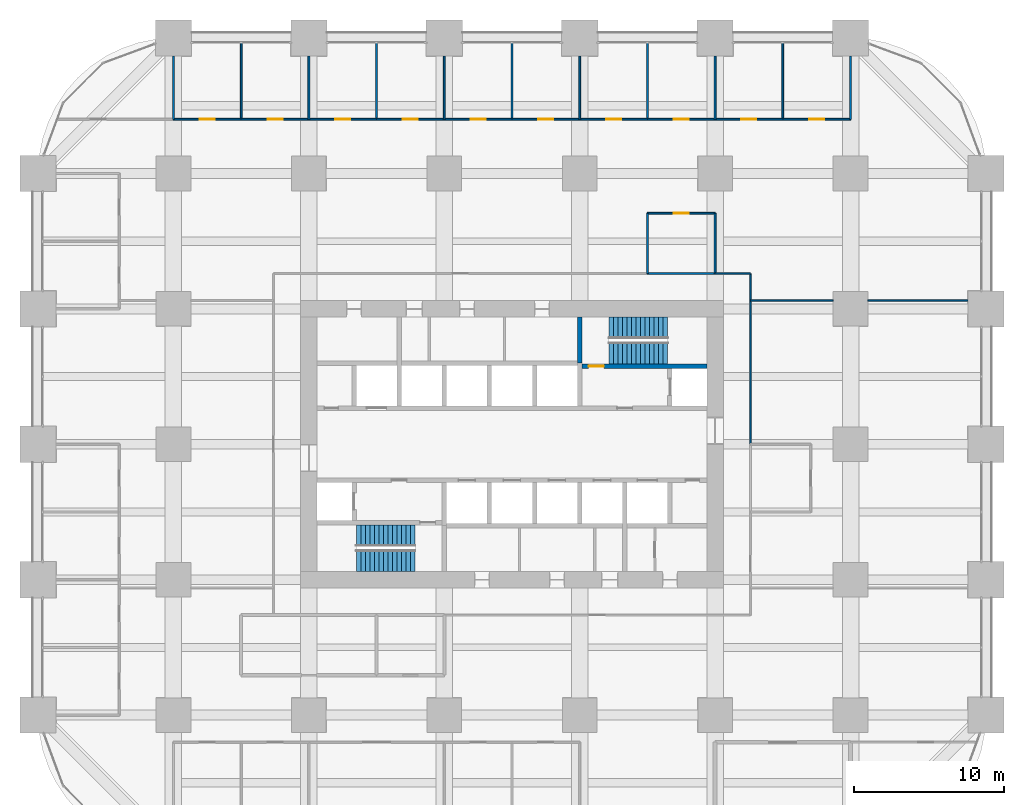
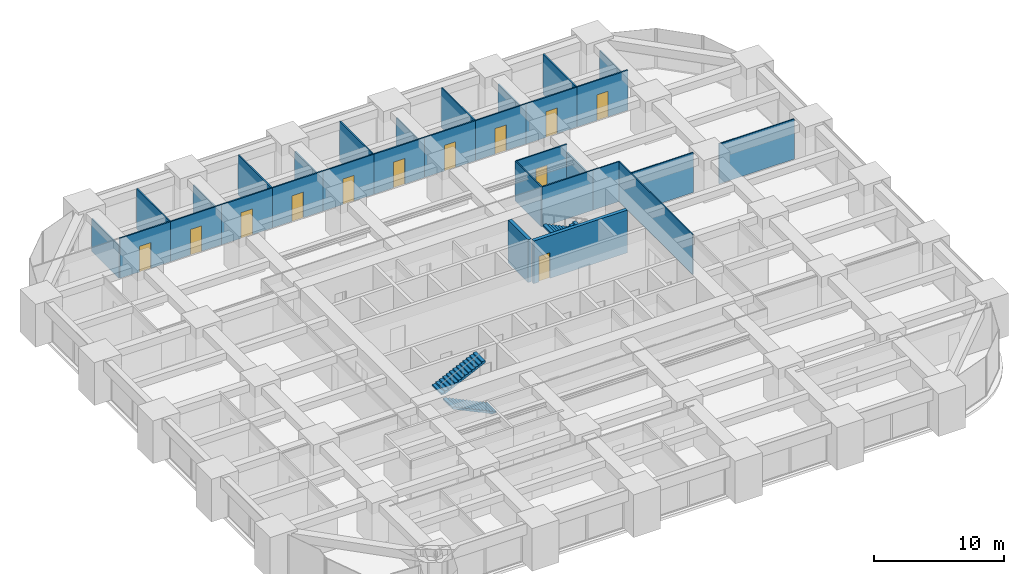
# One storey, part 42 of 44: 31 walls, 12 doors, 4 stair flights, 12 openings, 2 elements without a shape of their own.
"""IFC4 building model written with IfcOpenShell, lengths in metres."""

from ifc_helpers import new_model, si_unit, direction, frame, frame_2d, origin, place, context, subcontext, project, spatial, polyline, rectangle, outline, extrude, material, layer, layer_set, type_object, element, fill, aggregate, save


model = new_model("IFC4")

# Units and contexts
model_context = context("Model", 3, precision=1e-05, world=origin(), true_north=direction((0.0, 1.0)))
body_context = subcontext(model_context, "Body", "Model", "MODEL_VIEW")
ifc_project = project(units=[si_unit("LENGTHUNIT", "METRE"), si_unit("AREAUNIT", "SQUARE_METRE"), si_unit("VOLUMEUNIT", "CUBIC_METRE"), si_unit("PLANEANGLEUNIT", "RADIAN"), si_unit("MASSUNIT", "GRAM", prefix="KILO")], contexts=[model_context])

# Site, building, storey
site_placement = place(None, origin())
site = spatial("IfcSite", under=ifc_project, at=site_placement, CompositionType="ELEMENT")
building_placement = place(site_placement, origin())
building = spatial("IfcBuilding", under=site, at=building_placement, Name="Zorevar Civic Tower", CompositionType="ELEMENT")
storey_placement = place(building_placement, frame((0.0, 0.0, 31.800048828125)))
storey = spatial("IfcBuildingStorey", under=building, at=storey_placement, Name="L07", CompositionType="ELEMENT", Elevation=31.800048828125)

# Walls
ifc_material_1 = material(Name="Laminated glass in black aluminium frame", Category="aluminium")
ifc_layer_1 = layer(ifc_material_1, 0.10009765625)
ifc_layer_set_1 = layer_set([ifc_layer_1], Name="Glazed partition 100")
wall_type_1 = type_object("IfcWallType", Name="Glazed partition 100", PredefinedType="PARTITIONING", material=ifc_layer_set_1)
wall_1_placement = place(storey_placement, frame((47.35009765625, 36.550048828125, 0.0), z_axis=(0.0, 0.0, 1.0), x_axis=(1.0, 0.0, 0.0)))
element("IfcWall", 1, at=wall_1_placement, inside=storey, type_object=wall_type_1, Name="Glazed partition 100 L07", PredefinedType="PARTITIONING", context=body_context, shape_type="SweptSolid", body=[
    extrude(rectangle(XDim=5.5, YDim=0.10009765625, at=frame_2d((2.75, 0.0))), origin(), (0.0, 0.0, 1.0), 3.75),
])
wall_2_placement = place(storey_placement, frame((55.14990234375, 36.550048828125, 0.0), z_axis=(0.0, 0.0, 1.0), x_axis=(1.0, 0.0, 0.0)))
element("IfcWall", 2, at=wall_2_placement, inside=storey, type_object=wall_type_1, Name="Glazed partition 100 L07", PredefinedType="PARTITIONING", context=body_context, shape_type="SweptSolid", body=[
    extrude(rectangle(XDim=6.650146484375, YDim=0.10009765625, at=frame_2d((3.3251953125, 0.0))), origin(), (0.0, 0.0, 1.0), 3.75),
])
wall_3_placement = place(storey_placement, frame((45.0, 38.35009765625, 0.0), z_axis=(0.0, 0.0, 1.0), x_axis=(1.0, 0.0, 0.0)))
element("IfcWall", 3, at=wall_3_placement, inside=storey, type_object=wall_type_1, Name="Glazed partition 100 L07", PredefinedType="PARTITIONING", context=body_context, shape_type="SweptSolid", body=[
    extrude(rectangle(XDim=2.35009765625, YDim=0.10009765625, at=frame_2d((1.175048828125, 0.0))), origin(), (0.0, 0.0, 1.0), 3.75),
])
wall_4_placement = place(storey_placement, frame((47.35009765625, 27.0, 0.0), z_axis=(0.0, 0.0, 1.0), x_axis=(0.0, 1.0, 0.0)))
element("IfcWall", 4, at=wall_4_placement, inside=storey, type_object=wall_type_1, Name="Glazed partition 100 L07", PredefinedType="PARTITIONING", context=body_context, shape_type="SweptSolid", body=[
    extrude(rectangle(XDim=11.35009765625, YDim=0.10009765625, at=frame_2d((5.675048828125, 0.0))), origin(), (0.0, 0.0, 1.0), 3.75),
])

# Wall, opening, door
ifc_material_2 = material(Name="Concrete C40/50", Category="concrete")
ifc_layer_2 = layer(ifc_material_2, 0.300048828125)
ifc_layer_set_2 = layer_set([ifc_layer_2], Name="Inner core wall 300")
wall_type_2 = type_object("IfcWallType", Name="Inner core wall 300", PredefinedType="SHEAR", material=ifc_layer_set_2)
wall_5_placement = place(storey_placement, frame((36.14990234375, 32.199951171875, 0.0), z_axis=(0.0, 0.0, 1.0), x_axis=(1.0, 0.0, 0.0)))
wall_5 = element("IfcWall", 5, at=wall_5_placement, inside=storey, type_object=wall_type_2, Name="Inner core wall N00 L07", PredefinedType="SHEAR", context=body_context, shape_type="SweptSolid", body=[
    extrude(rectangle(XDim=8.300048828125, YDim=0.300048828125, at=frame_2d((4.14990234375, 0.0))), origin(), (0.0, 0.0, 1.0), 4.0),
])
opening_1_placement = place(wall_5_placement, frame((0.449951171875, 0.0, 0.0)))
opening_1 = element("IfcOpeningElement", 6, at=opening_1_placement, cuts=wall_5, Name="Opening L07.12", PredefinedType="OPENING", context=body_context, shape_type="SweptSolid", body=[
    extrude(rectangle(XDim=1.0, YDim=2.39990234375, at=frame_2d((0.5, 1.199951171875))), frame((0.0, 0.159912109375, 0.0), z_axis=(0.0, -1.0, 0.0), x_axis=(1.0, 0.0, 0.0)), (0.0, 0.0, 1.0), 0.320068359375),
])
ifc_material_3 = material(Name="Steel door set", Category="steel")
door_type_1 = type_object("IfcDoorType", Name="Fire door FD1 1000x2400", OperationType="SINGLE_SWING_LEFT", PredefinedType="DOOR", material=ifc_material_3)
door_1_placement = place(opening_1_placement, origin())
door_1 = element("IfcDoor", 7, at=door_1_placement, inside=storey, type_object=door_type_1, Name="Door L07 11", OperationType="SINGLE_SWING_RIGHT", OverallHeight=2.39990234375, OverallWidth=1.0, PredefinedType="DOOR", context=body_context, shape_type="SweptSolid", body=[
    extrude(rectangle(XDim=1.0, YDim=2.39990234375, at=frame_2d((0.5, 1.199951171875))), frame((0.0, 0.030029296875, 0.0), z_axis=(0.0, -1.0, 0.0), x_axis=(1.0, 0.0, 0.0)), (0.0, 0.0, 1.0), 0.06005859375),
])
fill(opening_1, door_1)

# Walls
wall_6_placement = place(storey_placement, frame((36.0, 32.39990234375, 0.0), z_axis=(0.0, 0.0, 1.0), x_axis=(0.0, 1.0, 0.0)))
element("IfcWall", 8, at=wall_6_placement, inside=storey, type_object=wall_type_2, Name="Inner core wall N01 L07", PredefinedType="SHEAR", context=body_context, shape_type="SweptSolid", body=[
    extrude(rectangle(XDim=3.050048828125, YDim=0.300048828125, at=frame_2d((1.52490234375, 0.0))), origin(), (0.0, 0.0, 1.0), 4.0),
])
ifc_material_4 = material(Name="Gypsum board on steel studs", Category="steel")
ifc_layer_3 = layer(ifc_material_4, 0.1201171875)
ifc_layer_set_3 = layer_set([ifc_layer_3], Name="Partition 120")
wall_type_3 = type_object("IfcWallType", Name="Partition 120", PredefinedType="PARTITIONING", material=ifc_layer_set_3)
wall_7_placement = place(storey_placement, frame((40.5, 38.35009765625, 0.0), z_axis=(0.0, 0.0, 1.0), x_axis=(1.0, 0.0, 0.0)))
element("IfcWall", 9, at=wall_7_placement, inside=storey, type_object=wall_type_3, Name="Partition 120 L07", PredefinedType="PARTITIONING", context=body_context, shape_type="SweptSolid", body=[
    extrude(rectangle(XDim=4.5, YDim=0.1201171875, at=frame_2d((2.25, 0.0))), origin(), (0.0, 0.0, 1.0), 3.75),
])

# Wall, opening, door
wall_8_placement = place(storey_placement, frame((40.5, 42.35009765625, 0.0), z_axis=(0.0, 0.0, 1.0), x_axis=(1.0, 0.0, 0.0)))
wall_8 = element("IfcWall", 10, at=wall_8_placement, inside=storey, type_object=wall_type_3, Name="Partition 120 L07", PredefinedType="PARTITIONING", context=body_context, shape_type="SweptSolid", body=[
    extrude(rectangle(XDim=4.5, YDim=0.1201171875, at=frame_2d((2.25, 0.0))), origin(), (0.0, 0.0, 1.0), 3.75),
])
opening_2_placement = place(wall_8_placement, frame((1.75, 0.0, 0.0)))
opening_2 = element("IfcOpeningElement", 11, at=opening_2_placement, cuts=wall_8, Name="Opening L07.28", PredefinedType="OPENING", context=body_context, shape_type="SweptSolid", body=[
    extrude(rectangle(XDim=1.0, YDim=2.39990234375, at=frame_2d((0.5, 1.199951171875))), frame((0.0, 0.070068359375, 0.0), z_axis=(0.0, -1.0, 0.0), x_axis=(1.0, 0.0, 0.0)), (0.0, 0.0, 1.0), 0.14013671875),
])
ifc_material_5 = material(Name="Timber door set", Category="wood")
door_type_2 = type_object("IfcDoorType", Name="Door D1 1000x2400", OperationType="SINGLE_SWING_LEFT", PredefinedType="DOOR", material=ifc_material_5)
door_2_placement = place(opening_2_placement, origin())
door_2 = element("IfcDoor", 12, at=door_2_placement, inside=storey, type_object=door_type_2, Name="Door L07 D1", OperationType="SINGLE_SWING_LEFT", OverallHeight=2.39990234375, OverallWidth=1.0, PredefinedType="DOOR", context=body_context, shape_type="SweptSolid", body=[
    extrude(rectangle(XDim=1.0, YDim=2.39990234375, at=frame_2d((0.5, 1.199951171875))), frame((0.0, 0.02490234375, 0.0), z_axis=(0.0, -1.0, 0.0), x_axis=(1.0, 0.0, 0.0)), (0.0, 0.0, 1.0), 0.050048828125),
])
fill(opening_2, door_2)

wall_9_placement = place(storey_placement, frame((9.0, 48.60009765625, 0.0), z_axis=(0.0, 0.0, 1.0), x_axis=(1.0, 0.0, 0.0)))
wall_9 = element("IfcWall", 13, at=wall_9_placement, inside=storey, type_object=wall_type_3, Name="Partition 120 L07", PredefinedType="PARTITIONING", context=body_context, shape_type="SweptSolid", body=[
    extrude(rectangle(XDim=4.5, YDim=0.1201171875, at=frame_2d((2.25, 0.0))), origin(), (0.0, 0.0, 1.0), 3.75),
])
opening_3_placement = place(wall_9_placement, frame((1.75, 0.0, 0.0)))
opening_3 = element("IfcOpeningElement", 14, at=opening_3_placement, cuts=wall_9, Name="Opening L07.29", PredefinedType="OPENING", context=body_context, shape_type="SweptSolid", body=[
    extrude(rectangle(XDim=1.0, YDim=2.39990234375, at=frame_2d((0.5, 1.199951171875))), frame((0.0, 0.070068359375, 0.0), z_axis=(0.0, -1.0, 0.0), x_axis=(1.0, 0.0, 0.0)), (0.0, 0.0, 1.0), 0.14013671875),
])
door_3_placement = place(opening_3_placement, origin())
door_3 = element("IfcDoor", 15, at=door_3_placement, inside=storey, type_object=door_type_2, Name="Door L07 D1", OperationType="SINGLE_SWING_LEFT", OverallHeight=2.39990234375, OverallWidth=1.0, PredefinedType="DOOR", context=body_context, shape_type="SweptSolid", body=[
    extrude(rectangle(XDim=1.0, YDim=2.39990234375, at=frame_2d((0.5, 1.199951171875))), frame((0.0, 0.02490234375, 0.0), z_axis=(0.0, -1.0, 0.0), x_axis=(1.0, 0.0, 0.0)), (0.0, 0.0, 1.0), 0.050048828125),
])
fill(opening_3, door_3)

wall_10_placement = place(storey_placement, frame((13.5, 48.60009765625, 0.0), z_axis=(0.0, 0.0, 1.0), x_axis=(1.0, 0.0, 0.0)))
wall_10 = element("IfcWall", 16, at=wall_10_placement, inside=storey, type_object=wall_type_3, Name="Partition 120 L07", PredefinedType="PARTITIONING", context=body_context, shape_type="SweptSolid", body=[
    extrude(rectangle(XDim=4.5, YDim=0.1201171875, at=frame_2d((2.25, 0.0))), origin(), (0.0, 0.0, 1.0), 3.75),
])
opening_4_placement = place(wall_10_placement, frame((1.75, 0.0, 0.0)))
opening_4 = element("IfcOpeningElement", 17, at=opening_4_placement, cuts=wall_10, Name="Opening L07.30", PredefinedType="OPENING", context=body_context, shape_type="SweptSolid", body=[
    extrude(rectangle(XDim=1.0, YDim=2.39990234375, at=frame_2d((0.5, 1.199951171875))), frame((0.0, 0.070068359375, 0.0), z_axis=(0.0, -1.0, 0.0), x_axis=(1.0, 0.0, 0.0)), (0.0, 0.0, 1.0), 0.14013671875),
])
door_4_placement = place(opening_4_placement, origin())
door_4 = element("IfcDoor", 18, at=door_4_placement, inside=storey, type_object=door_type_2, Name="Door L07 D1", OperationType="SINGLE_SWING_LEFT", OverallHeight=2.39990234375, OverallWidth=1.0, PredefinedType="DOOR", context=body_context, shape_type="SweptSolid", body=[
    extrude(rectangle(XDim=1.0, YDim=2.39990234375, at=frame_2d((0.5, 1.199951171875))), frame((0.0, 0.02490234375, 0.0), z_axis=(0.0, -1.0, 0.0), x_axis=(1.0, 0.0, 0.0)), (0.0, 0.0, 1.0), 0.050048828125),
])
fill(opening_4, door_4)

wall_11_placement = place(storey_placement, frame((18.0, 48.60009765625, 0.0), z_axis=(0.0, 0.0, 1.0), x_axis=(1.0, 0.0, 0.0)))
wall_11 = element("IfcWall", 19, at=wall_11_placement, inside=storey, type_object=wall_type_3, Name="Partition 120 L07", PredefinedType="PARTITIONING", context=body_context, shape_type="SweptSolid", body=[
    extrude(rectangle(XDim=4.5, YDim=0.1201171875, at=frame_2d((2.25, 0.0))), origin(), (0.0, 0.0, 1.0), 3.75),
])
opening_5_placement = place(wall_11_placement, frame((1.75, 0.0, 0.0)))
opening_5 = element("IfcOpeningElement", 20, at=opening_5_placement, cuts=wall_11, Name="Opening L07.31", PredefinedType="OPENING", context=body_context, shape_type="SweptSolid", body=[
    extrude(rectangle(XDim=1.0, YDim=2.39990234375, at=frame_2d((0.5, 1.199951171875))), frame((0.0, 0.070068359375, 0.0), z_axis=(0.0, -1.0, 0.0), x_axis=(1.0, 0.0, 0.0)), (0.0, 0.0, 1.0), 0.14013671875),
])
door_5_placement = place(opening_5_placement, origin())
door_5 = element("IfcDoor", 21, at=door_5_placement, inside=storey, type_object=door_type_2, Name="Door L07 D1", OperationType="SINGLE_SWING_LEFT", OverallHeight=2.39990234375, OverallWidth=1.0, PredefinedType="DOOR", context=body_context, shape_type="SweptSolid", body=[
    extrude(rectangle(XDim=1.0, YDim=2.39990234375, at=frame_2d((0.5, 1.199951171875))), frame((0.0, 0.02490234375, 0.0), z_axis=(0.0, -1.0, 0.0), x_axis=(1.0, 0.0, 0.0)), (0.0, 0.0, 1.0), 0.050048828125),
])
fill(opening_5, door_5)

wall_12_placement = place(storey_placement, frame((22.5, 48.60009765625, 0.0), z_axis=(0.0, 0.0, 1.0), x_axis=(1.0, 0.0, 0.0)))
wall_12 = element("IfcWall", 22, at=wall_12_placement, inside=storey, type_object=wall_type_3, Name="Partition 120 L07", PredefinedType="PARTITIONING", context=body_context, shape_type="SweptSolid", body=[
    extrude(rectangle(XDim=4.5, YDim=0.1201171875, at=frame_2d((2.25, 0.0))), origin(), (0.0, 0.0, 1.0), 3.75),
])
opening_6_placement = place(wall_12_placement, frame((1.75, 0.0, 0.0)))
opening_6 = element("IfcOpeningElement", 23, at=opening_6_placement, cuts=wall_12, Name="Opening L07.32", PredefinedType="OPENING", context=body_context, shape_type="SweptSolid", body=[
    extrude(rectangle(XDim=1.0, YDim=2.39990234375, at=frame_2d((0.5, 1.199951171875))), frame((0.0, 0.070068359375, 0.0), z_axis=(0.0, -1.0, 0.0), x_axis=(1.0, 0.0, 0.0)), (0.0, 0.0, 1.0), 0.14013671875),
])
door_6_placement = place(opening_6_placement, origin())
door_6 = element("IfcDoor", 24, at=door_6_placement, inside=storey, type_object=door_type_2, Name="Door L07 D1", OperationType="SINGLE_SWING_LEFT", OverallHeight=2.39990234375, OverallWidth=1.0, PredefinedType="DOOR", context=body_context, shape_type="SweptSolid", body=[
    extrude(rectangle(XDim=1.0, YDim=2.39990234375, at=frame_2d((0.5, 1.199951171875))), frame((0.0, 0.02490234375, 0.0), z_axis=(0.0, -1.0, 0.0), x_axis=(1.0, 0.0, 0.0)), (0.0, 0.0, 1.0), 0.050048828125),
])
fill(opening_6, door_6)

wall_13_placement = place(storey_placement, frame((27.0, 48.60009765625, 0.0), z_axis=(0.0, 0.0, 1.0), x_axis=(1.0, 0.0, 0.0)))
wall_13 = element("IfcWall", 25, at=wall_13_placement, inside=storey, type_object=wall_type_3, Name="Partition 120 L07", PredefinedType="PARTITIONING", context=body_context, shape_type="SweptSolid", body=[
    extrude(rectangle(XDim=4.5, YDim=0.1201171875, at=frame_2d((2.25, 0.0))), origin(), (0.0, 0.0, 1.0), 3.75),
])
opening_7_placement = place(wall_13_placement, frame((1.75, 0.0, 0.0)))
opening_7 = element("IfcOpeningElement", 26, at=opening_7_placement, cuts=wall_13, Name="Opening L07.33", PredefinedType="OPENING", context=body_context, shape_type="SweptSolid", body=[
    extrude(rectangle(XDim=1.0, YDim=2.39990234375, at=frame_2d((0.5, 1.199951171875))), frame((0.0, 0.070068359375, 0.0), z_axis=(0.0, -1.0, 0.0), x_axis=(1.0, 0.0, 0.0)), (0.0, 0.0, 1.0), 0.14013671875),
])
door_7_placement = place(opening_7_placement, origin())
door_7 = element("IfcDoor", 27, at=door_7_placement, inside=storey, type_object=door_type_2, Name="Door L07 D1", OperationType="SINGLE_SWING_LEFT", OverallHeight=2.39990234375, OverallWidth=1.0, PredefinedType="DOOR", context=body_context, shape_type="SweptSolid", body=[
    extrude(rectangle(XDim=1.0, YDim=2.39990234375, at=frame_2d((0.5, 1.199951171875))), frame((0.0, 0.02490234375, 0.0), z_axis=(0.0, -1.0, 0.0), x_axis=(1.0, 0.0, 0.0)), (0.0, 0.0, 1.0), 0.050048828125),
])
fill(opening_7, door_7)

wall_14_placement = place(storey_placement, frame((31.5, 48.60009765625, 0.0), z_axis=(0.0, 0.0, 1.0), x_axis=(1.0, 0.0, 0.0)))
wall_14 = element("IfcWall", 28, at=wall_14_placement, inside=storey, type_object=wall_type_3, Name="Partition 120 L07", PredefinedType="PARTITIONING", context=body_context, shape_type="SweptSolid", body=[
    extrude(rectangle(XDim=4.5, YDim=0.1201171875, at=frame_2d((2.25, 0.0))), origin(), (0.0, 0.0, 1.0), 3.75),
])
opening_8_placement = place(wall_14_placement, frame((1.75, 0.0, 0.0)))
opening_8 = element("IfcOpeningElement", 29, at=opening_8_placement, cuts=wall_14, Name="Opening L07.34", PredefinedType="OPENING", context=body_context, shape_type="SweptSolid", body=[
    extrude(rectangle(XDim=1.0, YDim=2.39990234375, at=frame_2d((0.5, 1.199951171875))), frame((0.0, 0.070068359375, 0.0), z_axis=(0.0, -1.0, 0.0), x_axis=(1.0, 0.0, 0.0)), (0.0, 0.0, 1.0), 0.14013671875),
])
door_8_placement = place(opening_8_placement, origin())
door_8 = element("IfcDoor", 30, at=door_8_placement, inside=storey, type_object=door_type_2, Name="Door L07 D1", OperationType="SINGLE_SWING_RIGHT", OverallHeight=2.39990234375, OverallWidth=1.0, PredefinedType="DOOR", context=body_context, shape_type="SweptSolid", body=[
    extrude(rectangle(XDim=1.0, YDim=2.39990234375, at=frame_2d((0.5, 1.199951171875))), frame((0.0, 0.02490234375, 0.0), z_axis=(0.0, -1.0, 0.0), x_axis=(1.0, 0.0, 0.0)), (0.0, 0.0, 1.0), 0.050048828125),
])
fill(opening_8, door_8)

wall_15_placement = place(storey_placement, frame((36.0, 48.60009765625, 0.0), z_axis=(0.0, 0.0, 1.0), x_axis=(1.0, 0.0, 0.0)))
wall_15 = element("IfcWall", 31, at=wall_15_placement, inside=storey, type_object=wall_type_3, Name="Partition 120 L07", PredefinedType="PARTITIONING", context=body_context, shape_type="SweptSolid", body=[
    extrude(rectangle(XDim=4.5, YDim=0.1201171875, at=frame_2d((2.25, 0.0))), origin(), (0.0, 0.0, 1.0), 3.75),
])
opening_9_placement = place(wall_15_placement, frame((1.75, 0.0, 0.0)))
opening_9 = element("IfcOpeningElement", 32, at=opening_9_placement, cuts=wall_15, Name="Opening L07.35", PredefinedType="OPENING", context=body_context, shape_type="SweptSolid", body=[
    extrude(rectangle(XDim=1.0, YDim=2.39990234375, at=frame_2d((0.5, 1.199951171875))), frame((0.0, 0.070068359375, 0.0), z_axis=(0.0, -1.0, 0.0), x_axis=(1.0, 0.0, 0.0)), (0.0, 0.0, 1.0), 0.14013671875),
])
door_9_placement = place(opening_9_placement, origin())
door_9 = element("IfcDoor", 33, at=door_9_placement, inside=storey, type_object=door_type_2, Name="Door L07 D1", OperationType="SINGLE_SWING_RIGHT", OverallHeight=2.39990234375, OverallWidth=1.0, PredefinedType="DOOR", context=body_context, shape_type="SweptSolid", body=[
    extrude(rectangle(XDim=1.0, YDim=2.39990234375, at=frame_2d((0.5, 1.199951171875))), frame((0.0, 0.02490234375, 0.0), z_axis=(0.0, -1.0, 0.0), x_axis=(1.0, 0.0, 0.0)), (0.0, 0.0, 1.0), 0.050048828125),
])
fill(opening_9, door_9)

wall_16_placement = place(storey_placement, frame((40.5, 48.60009765625, 0.0), z_axis=(0.0, 0.0, 1.0), x_axis=(1.0, 0.0, 0.0)))
wall_16 = element("IfcWall", 34, at=wall_16_placement, inside=storey, type_object=wall_type_3, Name="Partition 120 L07", PredefinedType="PARTITIONING", context=body_context, shape_type="SweptSolid", body=[
    extrude(rectangle(XDim=4.5, YDim=0.1201171875, at=frame_2d((2.25, 0.0))), origin(), (0.0, 0.0, 1.0), 3.75),
])
opening_10_placement = place(wall_16_placement, frame((1.75, 0.0, 0.0)))
opening_10 = element("IfcOpeningElement", 35, at=opening_10_placement, cuts=wall_16, Name="Opening L07.36", PredefinedType="OPENING", context=body_context, shape_type="SweptSolid", body=[
    extrude(rectangle(XDim=1.0, YDim=2.39990234375, at=frame_2d((0.5, 1.199951171875))), frame((0.0, 0.070068359375, 0.0), z_axis=(0.0, -1.0, 0.0), x_axis=(1.0, 0.0, 0.0)), (0.0, 0.0, 1.0), 0.14013671875),
])
door_10_placement = place(opening_10_placement, origin())
door_10 = element("IfcDoor", 36, at=door_10_placement, inside=storey, type_object=door_type_2, Name="Door L07 D1", OperationType="SINGLE_SWING_RIGHT", OverallHeight=2.39990234375, OverallWidth=1.0, PredefinedType="DOOR", context=body_context, shape_type="SweptSolid", body=[
    extrude(rectangle(XDim=1.0, YDim=2.39990234375, at=frame_2d((0.5, 1.199951171875))), frame((0.0, 0.02490234375, 0.0), z_axis=(0.0, -1.0, 0.0), x_axis=(1.0, 0.0, 0.0)), (0.0, 0.0, 1.0), 0.050048828125),
])
fill(opening_10, door_10)

wall_17_placement = place(storey_placement, frame((45.0, 48.60009765625, 0.0), z_axis=(0.0, 0.0, 1.0), x_axis=(1.0, 0.0, 0.0)))
wall_17 = element("IfcWall", 37, at=wall_17_placement, inside=storey, type_object=wall_type_3, Name="Partition 120 L07", PredefinedType="PARTITIONING", context=body_context, shape_type="SweptSolid", body=[
    extrude(rectangle(XDim=4.5, YDim=0.1201171875, at=frame_2d((2.25, 0.0))), origin(), (0.0, 0.0, 1.0), 3.75),
])
opening_11_placement = place(wall_17_placement, frame((1.75, 0.0, 0.0)))
opening_11 = element("IfcOpeningElement", 38, at=opening_11_placement, cuts=wall_17, Name="Opening L07.37", PredefinedType="OPENING", context=body_context, shape_type="SweptSolid", body=[
    extrude(rectangle(XDim=1.0, YDim=2.39990234375, at=frame_2d((0.5, 1.199951171875))), frame((0.0, 0.070068359375, 0.0), z_axis=(0.0, -1.0, 0.0), x_axis=(1.0, 0.0, 0.0)), (0.0, 0.0, 1.0), 0.14013671875),
])
door_11_placement = place(opening_11_placement, origin())
door_11 = element("IfcDoor", 39, at=door_11_placement, inside=storey, type_object=door_type_2, Name="Door L07 D1", OperationType="SINGLE_SWING_RIGHT", OverallHeight=2.39990234375, OverallWidth=1.0, PredefinedType="DOOR", context=body_context, shape_type="SweptSolid", body=[
    extrude(rectangle(XDim=1.0, YDim=2.39990234375, at=frame_2d((0.5, 1.199951171875))), frame((0.0, 0.02490234375, 0.0), z_axis=(0.0, -1.0, 0.0), x_axis=(1.0, 0.0, 0.0)), (0.0, 0.0, 1.0), 0.050048828125),
])
fill(opening_11, door_11)

wall_18_placement = place(storey_placement, frame((49.5, 48.60009765625, 0.0), z_axis=(0.0, 0.0, 1.0), x_axis=(1.0, 0.0, 0.0)))
wall_18 = element("IfcWall", 40, at=wall_18_placement, inside=storey, type_object=wall_type_3, Name="Partition 120 L07", PredefinedType="PARTITIONING", context=body_context, shape_type="SweptSolid", body=[
    extrude(rectangle(XDim=4.5, YDim=0.1201171875, at=frame_2d((2.25, 0.0))), origin(), (0.0, 0.0, 1.0), 3.75),
])
opening_12_placement = place(wall_18_placement, frame((1.75, 0.0, 0.0)))
opening_12 = element("IfcOpeningElement", 41, at=opening_12_placement, cuts=wall_18, Name="Opening L07.38", PredefinedType="OPENING", context=body_context, shape_type="SweptSolid", body=[
    extrude(rectangle(XDim=1.0, YDim=2.39990234375, at=frame_2d((0.5, 1.199951171875))), frame((0.0, 0.070068359375, 0.0), z_axis=(0.0, -1.0, 0.0), x_axis=(1.0, 0.0, 0.0)), (0.0, 0.0, 1.0), 0.14013671875),
])
door_12_placement = place(opening_12_placement, origin())
door_12 = element("IfcDoor", 42, at=door_12_placement, inside=storey, type_object=door_type_2, Name="Door L07 D1", OperationType="SINGLE_SWING_RIGHT", OverallHeight=2.39990234375, OverallWidth=1.0, PredefinedType="DOOR", context=body_context, shape_type="SweptSolid", body=[
    extrude(rectangle(XDim=1.0, YDim=2.39990234375, at=frame_2d((0.5, 1.199951171875))), frame((0.0, 0.02490234375, 0.0), z_axis=(0.0, -1.0, 0.0), x_axis=(1.0, 0.0, 0.0)), (0.0, 0.0, 1.0), 0.050048828125),
])
fill(opening_12, door_12)

# Walls
wall_19_placement = place(storey_placement, frame((9.0, 48.60009765625, 0.0), z_axis=(0.0, 0.0, 1.0), x_axis=(0.0, 1.0, 0.0)))
element("IfcWall", 43, at=wall_19_placement, inside=storey, type_object=wall_type_3, Name="Partition 120 L07", PredefinedType="PARTITIONING", context=body_context, shape_type="SweptSolid", body=[
    extrude(rectangle(XDim=4.199951171875, YDim=0.1201171875, at=frame_2d((2.10009765625, 0.0))), origin(), (0.0, 0.0, 1.0), 3.050048828125),
])
wall_20_placement = place(storey_placement, frame((13.5, 48.60009765625, 0.0), z_axis=(0.0, 0.0, 1.0), x_axis=(0.0, 1.0, 0.0)))
element("IfcWall", 44, at=wall_20_placement, inside=storey, type_object=wall_type_3, Name="Partition 120 L07", PredefinedType="PARTITIONING", context=body_context, shape_type="SweptSolid", body=[
    extrude(rectangle(XDim=5.08984375, YDim=0.1201171875, at=frame_2d((2.544921875, 0.0))), origin(), (0.0, 0.0, 1.0), 3.75),
])
wall_21_placement = place(storey_placement, frame((18.0, 48.60009765625, 0.0), z_axis=(0.0, 0.0, 1.0), x_axis=(0.0, 1.0, 0.0)))
element("IfcWall", 45, at=wall_21_placement, inside=storey, type_object=wall_type_3, Name="Partition 120 L07", PredefinedType="PARTITIONING", context=body_context, shape_type="SweptSolid", body=[
    extrude(rectangle(XDim=4.199951171875, YDim=0.1201171875, at=frame_2d((2.10009765625, 0.0))), origin(), (0.0, 0.0, 1.0), 3.050048828125),
])
wall_22_placement = place(storey_placement, frame((22.5, 48.60009765625, 0.0), z_axis=(0.0, 0.0, 1.0), x_axis=(0.0, 1.0, 0.0)))
element("IfcWall", 46, at=wall_22_placement, inside=storey, type_object=wall_type_3, Name="Partition 120 L07", PredefinedType="PARTITIONING", context=body_context, shape_type="SweptSolid", body=[
    extrude(rectangle(XDim=5.08984375, YDim=0.1201171875, at=frame_2d((2.544921875, 0.0))), origin(), (0.0, 0.0, 1.0), 3.75),
])
wall_23_placement = place(storey_placement, frame((27.0, 48.60009765625, 0.0), z_axis=(0.0, 0.0, 1.0), x_axis=(0.0, 1.0, 0.0)))
element("IfcWall", 47, at=wall_23_placement, inside=storey, type_object=wall_type_3, Name="Partition 120 L07", PredefinedType="PARTITIONING", context=body_context, shape_type="SweptSolid", body=[
    extrude(rectangle(XDim=4.199951171875, YDim=0.1201171875, at=frame_2d((2.10009765625, 0.0))), origin(), (0.0, 0.0, 1.0), 3.050048828125),
])
wall_24_placement = place(storey_placement, frame((31.5, 48.60009765625, 0.0), z_axis=(0.0, 0.0, 1.0), x_axis=(0.0, 1.0, 0.0)))
element("IfcWall", 48, at=wall_24_placement, inside=storey, type_object=wall_type_3, Name="Partition 120 L07", PredefinedType="PARTITIONING", context=body_context, shape_type="SweptSolid", body=[
    extrude(rectangle(XDim=5.08984375, YDim=0.1201171875, at=frame_2d((2.544921875, 0.0))), origin(), (0.0, 0.0, 1.0), 3.75),
])
wall_25_placement = place(storey_placement, frame((36.0, 48.60009765625, 0.0), z_axis=(0.0, 0.0, 1.0), x_axis=(0.0, 1.0, 0.0)))
element("IfcWall", 49, at=wall_25_placement, inside=storey, type_object=wall_type_3, Name="Partition 120 L07", PredefinedType="PARTITIONING", context=body_context, shape_type="SweptSolid", body=[
    extrude(rectangle(XDim=4.199951171875, YDim=0.1201171875, at=frame_2d((2.10009765625, 0.0))), origin(), (0.0, 0.0, 1.0), 3.050048828125),
])
wall_26_placement = place(storey_placement, frame((40.5, 48.60009765625, 0.0), z_axis=(0.0, 0.0, 1.0), x_axis=(0.0, 1.0, 0.0)))
element("IfcWall", 50, at=wall_26_placement, inside=storey, type_object=wall_type_3, Name="Partition 120 L07", PredefinedType="PARTITIONING", context=body_context, shape_type="SweptSolid", body=[
    extrude(rectangle(XDim=5.08984375, YDim=0.1201171875, at=frame_2d((2.544921875, 0.0))), origin(), (0.0, 0.0, 1.0), 3.75),
])
wall_27_placement = place(storey_placement, frame((40.5, 38.35009765625, 0.0), z_axis=(0.0, 0.0, 1.0), x_axis=(0.0, 1.0, 0.0)))
element("IfcWall", 51, at=wall_27_placement, inside=storey, type_object=wall_type_3, Name="Partition 120 L07", PredefinedType="PARTITIONING", context=body_context, shape_type="SweptSolid", body=[
    extrude(rectangle(XDim=4.0, YDim=0.1201171875, at=frame_2d((2.0, 0.0))), origin(), (0.0, 0.0, 1.0), 3.75),
])
wall_28_placement = place(storey_placement, frame((45.0, 48.60009765625, 0.0), z_axis=(0.0, 0.0, 1.0), x_axis=(0.0, 1.0, 0.0)))
element("IfcWall", 52, at=wall_28_placement, inside=storey, type_object=wall_type_3, Name="Partition 120 L07", PredefinedType="PARTITIONING", context=body_context, shape_type="SweptSolid", body=[
    extrude(rectangle(XDim=4.199951171875, YDim=0.1201171875, at=frame_2d((2.10009765625, 0.0))), origin(), (0.0, 0.0, 1.0), 3.050048828125),
])
wall_29_placement = place(storey_placement, frame((45.0, 38.35009765625, 0.0), z_axis=(0.0, 0.0, 1.0), x_axis=(0.0, 1.0, 0.0)))
element("IfcWall", 53, at=wall_29_placement, inside=storey, type_object=wall_type_3, Name="Partition 120 L07", PredefinedType="PARTITIONING", context=body_context, shape_type="SweptSolid", body=[
    extrude(rectangle(XDim=4.0, YDim=0.1201171875, at=frame_2d((2.0, 0.0))), origin(), (0.0, 0.0, 1.0), 3.050048828125),
])
wall_30_placement = place(storey_placement, frame((49.5, 48.60009765625, 0.0), z_axis=(0.0, 0.0, 1.0), x_axis=(0.0, 1.0, 0.0)))
element("IfcWall", 54, at=wall_30_placement, inside=storey, type_object=wall_type_3, Name="Partition 120 L07", PredefinedType="PARTITIONING", context=body_context, shape_type="SweptSolid", body=[
    extrude(rectangle(XDim=5.08984375, YDim=0.1201171875, at=frame_2d((2.544921875, 0.0))), origin(), (0.0, 0.0, 1.0), 3.75),
])
wall_31_placement = place(storey_placement, frame((54.0, 48.60009765625, 0.0), z_axis=(0.0, 0.0, 1.0), x_axis=(0.0, 1.0, 0.0)))
element("IfcWall", 55, at=wall_31_placement, inside=storey, type_object=wall_type_3, Name="Partition 120 L07", PredefinedType="PARTITIONING", context=body_context, shape_type="SweptSolid", body=[
    extrude(rectangle(XDim=4.199951171875, YDim=0.1201171875, at=frame_2d((2.10009765625, 0.0))), origin(), (0.0, 0.0, 1.0), 3.050048828125),
])

# Stair, stair flights
ifc_material_6 = material(Name="Precast concrete C40/50", Category="concrete")
stair_type = type_object("IfcStairType", Name="Stair ST 28R", PredefinedType="HALF_TURN_STAIR", material=ifc_material_6)
stair_1_placement = place(storey_placement, origin())
stair_1 = element("IfcStair", 56, at=stair_1_placement, inside=storey, type_object=stair_type, Name="Stair ST1 L07", PredefinedType="HALF_TURN_STAIR")
ifc_material_7 = material(Name="Precast concrete C40/50", Category="concrete")
stair_flight_type = type_object("IfcStairFlightType", Name="Stair flight", PredefinedType="STRAIGHT", material=ifc_material_7)
stair_flight_1_placement = place(storey_placement, frame((25.050048828125, 19.262451171875, 0.0), z_axis=(0.0, 0.0, 1.0), x_axis=(-1.0, 0.0, 0.0)))
stair_flight_1 = element("IfcStairFlight", 57, at=stair_flight_1_placement, type_object=stair_flight_type, Name="ST1 flight 1", NumberOfRisers=14, NumberOfTreads=13, PredefinedType="STRAIGHT", RiserHeight=0.142857143, TreadLength=0.3, context=body_context, shape_type="SweptSolid", body=[
    extrude(outline(polyline([(0.0, 0.0), (0.0, 0.142822265625), (0.300048828125, 0.142822265625), (0.300048828125, 0.28564453125), (0.60009765625, 0.28564453125), (0.60009765625, 0.428466796875), (0.89990234375, 0.428466796875), (0.89990234375, 0.571533203125), (1.199951171875, 0.571533203125), (1.199951171875, 0.71435546875), (1.5, 0.71435546875), (1.5, 0.857177734375), (1.800048828125, 0.857177734375), (1.800048828125, 1.0), (2.10009765625, 1.0), (2.10009765625, 1.142822265625), (2.39990234375, 1.142822265625), (2.39990234375, 1.28564453125), (2.699951171875, 1.28564453125), (2.699951171875, 1.428466796875), (3.0, 1.428466796875), (3.0, 1.571533203125), (3.300048828125, 1.571533203125), (3.300048828125, 1.71435546875), (3.60009765625, 1.71435546875), (3.60009765625, 1.857177734375), (3.89990234375, 1.857177734375), (3.89990234375, 2.0), (3.89990234375, 1.691162109375), (0.3486328125, 0.0), (0.0, 0.0)])), frame((0.0, 0.71240234375, 0.0), z_axis=(0.0, -1.0, 0.0), x_axis=(1.0, 0.0, 0.0)), (0.0, 0.0, 1.0), 1.425048828125),
])
stair_flight_2_placement = place(storey_placement, frame((21.14990234375, 20.9375, 2.0), z_axis=(0.0, 0.0, 1.0), x_axis=(1.0, 0.0, 0.0)))
stair_flight_2 = element("IfcStairFlight", 58, at=stair_flight_2_placement, type_object=stair_flight_type, Name="ST1 flight 2", NumberOfRisers=14, NumberOfTreads=13, PredefinedType="STRAIGHT", RiserHeight=0.142857143, TreadLength=0.3, context=body_context, shape_type="SweptSolid", body=[
    extrude(outline(polyline([(0.0, 0.0), (0.0, 0.142822265625), (0.300048828125, 0.142822265625), (0.300048828125, 0.28564453125), (0.60009765625, 0.28564453125), (0.60009765625, 0.428466796875), (0.89990234375, 0.428466796875), (0.89990234375, 0.571533203125), (1.199951171875, 0.571533203125), (1.199951171875, 0.71435546875), (1.5, 0.71435546875), (1.5, 0.857177734375), (1.800048828125, 0.857177734375), (1.800048828125, 1.0), (2.10009765625, 1.0), (2.10009765625, 1.142822265625), (2.39990234375, 1.142822265625), (2.39990234375, 1.28564453125), (2.699951171875, 1.28564453125), (2.699951171875, 1.428466796875), (3.0, 1.428466796875), (3.0, 1.571533203125), (3.300048828125, 1.571533203125), (3.300048828125, 1.71435546875), (3.60009765625, 1.71435546875), (3.60009765625, 1.857177734375), (3.89990234375, 1.857177734375), (3.89990234375, 2.0), (3.89990234375, 1.691162109375), (0.3486328125, 0.0), (0.0, 0.0)])), frame((0.0, 0.71240234375, 0.0), z_axis=(0.0, -1.0, 0.0), x_axis=(1.0, 0.0, 0.0)), (0.0, 0.0, 1.0), 1.425048828125),
])
aggregate(stair_1, [stair_flight_1, stair_flight_2])

stair_2_placement = place(storey_placement, origin())
stair_2 = element("IfcStair", 59, at=stair_2_placement, inside=storey, type_object=stair_type, Name="Stair ST2 L07", PredefinedType="HALF_TURN_STAIR")
stair_flight_3_placement = place(storey_placement, frame((37.949951171875, 34.737548828125, 0.0), z_axis=(0.0, 0.0, 1.0), x_axis=(1.0, 0.0, 0.0)))
stair_flight_3 = element("IfcStairFlight", 60, at=stair_flight_3_placement, type_object=stair_flight_type, Name="ST2 flight 1", NumberOfRisers=14, NumberOfTreads=13, PredefinedType="STRAIGHT", RiserHeight=0.142857143, TreadLength=0.3, context=body_context, shape_type="SweptSolid", body=[
    extrude(outline(polyline([(0.0, 0.0), (0.0, 0.142822265625), (0.300048828125, 0.142822265625), (0.300048828125, 0.28564453125), (0.60009765625, 0.28564453125), (0.60009765625, 0.428466796875), (0.89990234375, 0.428466796875), (0.89990234375, 0.571533203125), (1.199951171875, 0.571533203125), (1.199951171875, 0.71435546875), (1.5, 0.71435546875), (1.5, 0.857177734375), (1.800048828125, 0.857177734375), (1.800048828125, 1.0), (2.10009765625, 1.0), (2.10009765625, 1.142822265625), (2.39990234375, 1.142822265625), (2.39990234375, 1.28564453125), (2.699951171875, 1.28564453125), (2.699951171875, 1.428466796875), (3.0, 1.428466796875), (3.0, 1.571533203125), (3.300048828125, 1.571533203125), (3.300048828125, 1.71435546875), (3.60009765625, 1.71435546875), (3.60009765625, 1.857177734375), (3.89990234375, 1.857177734375), (3.89990234375, 2.0), (3.89990234375, 1.691162109375), (0.3486328125, 0.0), (0.0, 0.0)])), frame((0.0, 0.71240234375, 0.0), z_axis=(0.0, -1.0, 0.0), x_axis=(1.0, 0.0, 0.0)), (0.0, 0.0, 1.0), 1.425048828125),
])
stair_flight_4_placement = place(storey_placement, frame((41.85009765625, 33.0625, 2.0), z_axis=(0.0, 0.0, 1.0), x_axis=(-1.0, 0.0, 0.0)))
stair_flight_4 = element("IfcStairFlight", 61, at=stair_flight_4_placement, type_object=stair_flight_type, Name="ST2 flight 2", NumberOfRisers=14, NumberOfTreads=13, PredefinedType="STRAIGHT", RiserHeight=0.142857143, TreadLength=0.3, context=body_context, shape_type="SweptSolid", body=[
    extrude(outline(polyline([(0.0, 0.0), (0.0, 0.142822265625), (0.300048828125, 0.142822265625), (0.300048828125, 0.28564453125), (0.60009765625, 0.28564453125), (0.60009765625, 0.428466796875), (0.89990234375, 0.428466796875), (0.89990234375, 0.571533203125), (1.199951171875, 0.571533203125), (1.199951171875, 0.71435546875), (1.5, 0.71435546875), (1.5, 0.857177734375), (1.800048828125, 0.857177734375), (1.800048828125, 1.0), (2.10009765625, 1.0), (2.10009765625, 1.142822265625), (2.39990234375, 1.142822265625), (2.39990234375, 1.28564453125), (2.699951171875, 1.28564453125), (2.699951171875, 1.428466796875), (3.0, 1.428466796875), (3.0, 1.571533203125), (3.300048828125, 1.571533203125), (3.300048828125, 1.71435546875), (3.60009765625, 1.71435546875), (3.60009765625, 1.857177734375), (3.89990234375, 1.857177734375), (3.89990234375, 2.0), (3.89990234375, 1.691162109375), (0.3486328125, 0.0), (0.0, 0.0)])), frame((0.0, 0.71240234375, 0.0), z_axis=(0.0, -1.0, 0.0), x_axis=(1.0, 0.0, 0.0)), (0.0, 0.0, 1.0), 1.425048828125),
])
aggregate(stair_2, [stair_flight_3, stair_flight_4])

save(model, "model.ifc")
